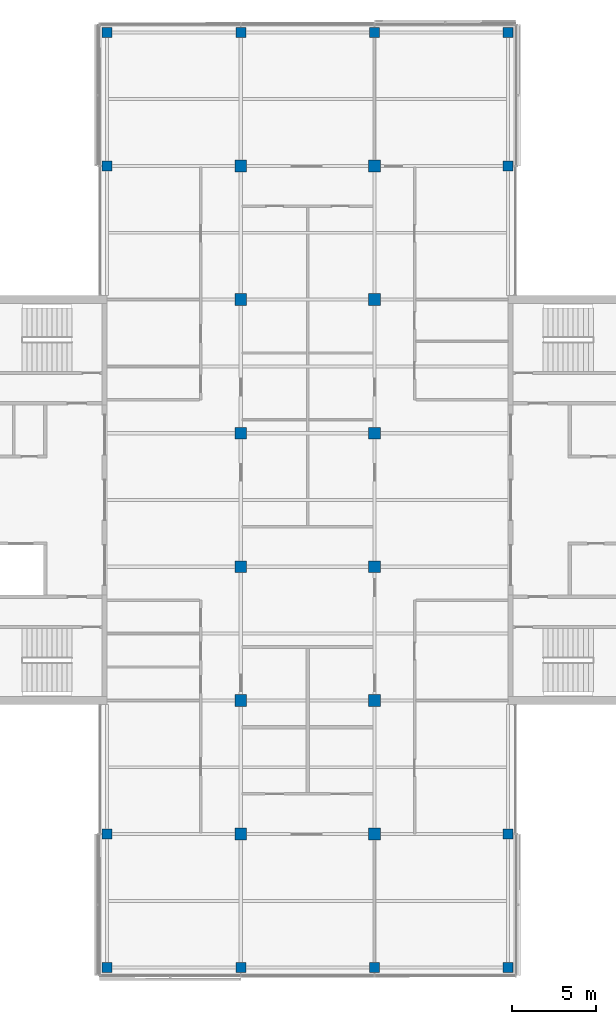
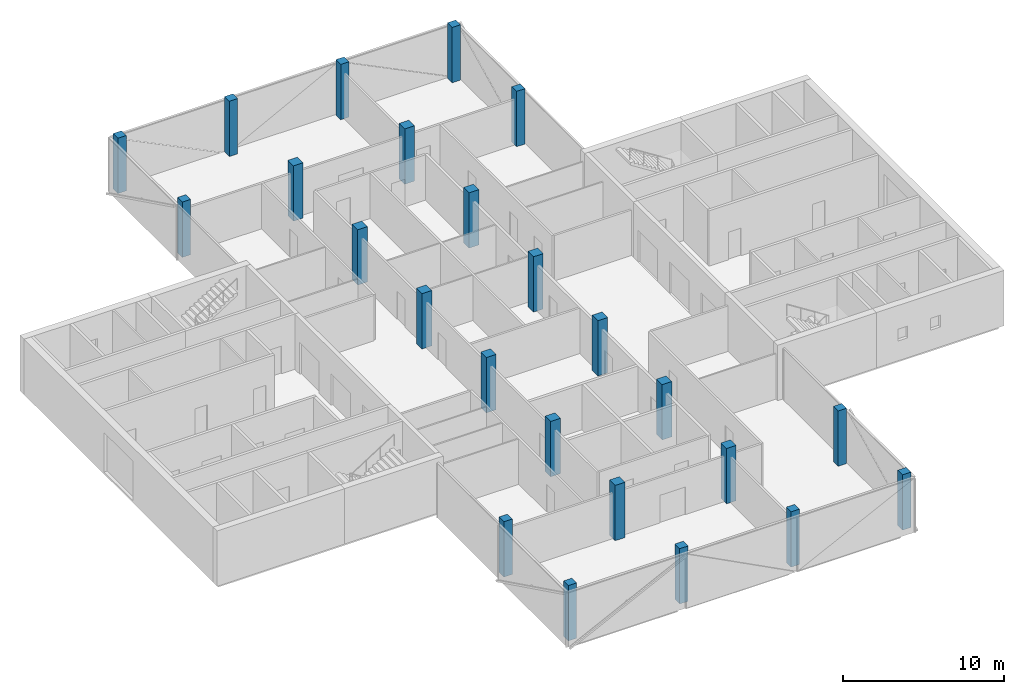
# One storey, part 1 of 16: 24 columns.
"""IFC4 building model written with IfcOpenShell, lengths in metres."""

import ifcopenshell
import ifcopenshell.guid

model = None  # the IFC model being written
_history = None  # IfcOwnerHistory: only IFC2X3 demands one
_inside = {}  # id of a spatial element -> (the spatial element, [elements in it])
_under = {}  # id of a project, library or spatial element -> (it, [spatial elements below it])
_declared = {}  # id of a project -> (the project, [libraries it declares])
_typed = {}  # id of a type object -> (the type object, [elements of that type])
_made_of = {}  # id of a material, layer set ... -> (it, [elements and type objects made of it])


def new_model(schema):
    """Start an empty IFC model of exactly this schema.

    Asked for "IFC4X3", IfcOpenShell would pick the latest addendum, in which some entities
    have other attributes; the version numbers below select the first issue.
    IFC2X3 requires an IfcOwnerHistory on every rooted entity: one is made here for all.
    """
    global model, _history
    if schema == "IFC4X3":
        model = ifcopenshell.file(schema_version=(4, 3, 0, 0))
    else:
        model = ifcopenshell.file(schema=schema)
    _inside.clear()
    _under.clear()
    _declared.clear()
    _typed.clear()
    _made_of.clear()
    _history = None
    if model.schema == "IFC2X3":
        org = make("IfcOrganization", Name="unknown")
        user = make(
            "IfcPersonAndOrganization",
            ThePerson=make("IfcPerson", FamilyName="unknown"),
            TheOrganization=org,
        )
        app = make(
            "IfcApplication",
            ApplicationDeveloper=org,
            Version="unknown",
            ApplicationFullName="unknown",
            ApplicationIdentifier="unknown",
        )
        _history = make(
            "IfcOwnerHistory",
            OwningUser=user,
            OwningApplication=app,
            ChangeAction="ADDED",
            CreationDate=0,
        )
    return model


def make(cls, **values):
    """One entity of the class cls with the attributes given. An attribute that is None is left unset."""
    return model.create_entity(
        cls, **{name: value for name, value in values.items() if value is not None}
    )


def rooted(cls, **values):
    """An entity with a GlobalId (a new one), such as an element, a storey or a relation."""
    return make(cls, GlobalId=ifcopenshell.guid.new(), OwnerHistory=_history, **values)


def si_unit(unit_type, name, prefix=None):
    """IfcSIUnit, for example si_unit("LENGTHUNIT", "METRE", prefix="MILLI")."""
    return make("IfcSIUnit", UnitType=unit_type, Prefix=prefix, Name=name)


def assignment(units):
    """IfcUnitAssignment: the units of a project."""
    return None if units is None else make("IfcUnitAssignment", Units=units)


def point(xyz):
    """IfcCartesianPoint."""
    return None if xyz is None else make("IfcCartesianPoint", Coordinates=xyz)


def direction(xyz):
    """IfcDirection."""
    return None if xyz is None else make("IfcDirection", DirectionRatios=xyz)


def frame(location, z_axis=None, x_axis=None):
    """IfcAxis2Placement3D, a coordinate frame: its origin and axes. An axis left out is left unset."""
    return make(
        "IfcAxis2Placement3D",
        Location=point(location),
        Axis=direction(z_axis),
        RefDirection=direction(x_axis),
    )


def frame_2d(location, x_axis=None):
    """IfcAxis2Placement2D, a coordinate frame in the plane: its origin and x axis."""
    return make(
        "IfcAxis2Placement2D", Location=point(location), RefDirection=direction(x_axis)
    )


def origin():
    """The frame at (0, 0, 0) with its axes left unset."""
    return frame((0.0, 0.0, 0.0))


def origin_2d():
    """The frame at (0, 0) in the plane with its x axis left unset."""
    return frame_2d((0.0, 0.0))


def place(relative_to, where):
    """IfcLocalPlacement: puts the frame where relative to a parent placement (None: the world)."""
    return make(
        "IfcLocalPlacement", PlacementRelTo=relative_to, RelativePlacement=where
    )


def context(
    kind, dimensions, precision=None, world=None, true_north=None, identifier=None
):
    """IfcGeometricRepresentationContext, for example the 3D "Model" context."""
    return make(
        "IfcGeometricRepresentationContext",
        ContextIdentifier=identifier,
        ContextType=kind,
        CoordinateSpaceDimension=dimensions,
        Precision=precision,
        WorldCoordinateSystem=world,
        TrueNorth=true_north,
    )


def subcontext(parent, identifier, kind, view, scale=None):
    """IfcGeometricRepresentationSubContext, for example "Body" below "Model"."""
    return make(
        "IfcGeometricRepresentationSubContext",
        ContextIdentifier=identifier,
        ContextType=kind,
        ParentContext=parent,
        TargetScale=scale,
        TargetView=view,
    )


def project(units=None, contexts=None):
    """IfcProject with its units and contexts."""
    return rooted(
        "IfcProject",
        Name="project",
        RepresentationContexts=contexts,
        UnitsInContext=assignment(units),
    )


def spatial(cls, under=None, at=None, **own):
    """A site, building, storey or space (cls), placed at a placement, below another one or the project."""
    s = rooted(cls, ObjectPlacement=at, **own)
    if under is not None:
        _under.setdefault(under.id(), (under, []))[1].append(s)
    return s


def profile(cls, at=None, kind="AREA", **sizes):
    """A parametric profile (cls). Its sizes go by their IFC names, for example OverallWidth=200.0."""
    return make(cls, ProfileType=kind, Position=at, **sizes)


def rectangle(**sizes):
    """IfcRectangleProfileDef."""
    return profile("IfcRectangleProfileDef", **sizes)


def extrude(swept, where, along, depth):
    """IfcExtrudedAreaSolid: the profile swept, set in the frame where, extruded along a direction by depth."""
    return make(
        "IfcExtrudedAreaSolid",
        SweptArea=swept,
        Position=where,
        ExtrudedDirection=direction(along),
        Depth=depth,
    )


def shape(context_of_items, identifier, shape_type, items):
    """IfcShapeRepresentation: the items that make up one representation, for example the "Body"."""
    return make(
        "IfcShapeRepresentation",
        ContextOfItems=context_of_items,
        RepresentationIdentifier=identifier,
        RepresentationType=shape_type,
        Items=items,
    )


def material(Name=None, Category=None):
    """IfcMaterial."""
    return make("IfcMaterial", Name=Name, Category=Category)


def material_profile(
    of_material, cross_section, Name=None, Category=None, Priority=None
):
    """IfcMaterialProfile: a cross section and its material."""
    return make(
        "IfcMaterialProfile",
        Name=Name,
        Material=of_material,
        Profile=cross_section,
        Priority=Priority,
        Category=Category,
    )


def profile_set(profiles, Name=None, composite=None):
    """IfcMaterialProfileSet."""
    return make(
        "IfcMaterialProfileSet",
        Name=Name,
        MaterialProfiles=profiles,
        CompositeProfile=composite,
    )


def made_of(thing, what):
    """Note that an element or type object is made of a material, layer set ...; save() writes the relation."""
    if what is not None:
        _made_of.setdefault(what.id(), (what, []))[1].append(thing)
    return thing


def type_object(cls, material=None, **own):
    """A type object (cls), such as IfcWallType, which elements share."""
    return made_of(rooted(cls, **own), material)


def element(
    cls,
    number,
    at=None,
    inside=None,
    cuts=None,
    type_object=None,
    material=None,
    context=None,
    identifier="Body",
    shape_type=None,
    held_by="IfcProductDefinitionShape",
    body=None,
    shapes=None,
    **own,
):
    """One element of the class cls, such as IfcWall. Its Tag is "e" and its number.

    at: its placement. inside: the storey or other place that contains it. cuts: it is an
    opening in that element (IfcRelVoidsElement). A single representation is given by context,
    identifier, shape_type and body (its items); several are given by shapes. held_by: the class
    of the entity that holds the representations. save() writes the other relations.
    """
    e = rooted(cls, Tag="e%d" % number, ObjectPlacement=at, **own)
    if body is not None:
        shapes = [shape(context, identifier, shape_type, body)]
    if shapes is not None:
        e.Representation = make(held_by, Representations=shapes)
    if inside is not None:
        _inside.setdefault(inside.id(), (inside, []))[1].append(e)
    if cuts is not None:
        rooted(
            "IfcRelVoidsElement", RelatingBuildingElement=cuts, RelatedOpeningElement=e
        )
    if type_object is not None:
        _typed.setdefault(type_object.id(), (type_object, []))[1].append(e)
    return made_of(e, material)


def aggregate(whole, parts):
    """IfcRelAggregates: a whole, such as a stair, and the parts it consists of."""
    return rooted("IfcRelAggregates", RelatingObject=whole, RelatedObjects=parts)


def save(model, path):
    """Write the relations noted so far, then the file.

    IfcRelAggregates (storeys below a building ...), IfcRelContainedInSpatialStructure (elements
    in a storey), IfcRelDefinesByType, IfcRelAssociatesMaterial and IfcRelDeclares: one each for
    every whole, place, type object, material and project.
    """
    for whole, parts in _under.values():
        aggregate(whole, parts)
    for where, things in _inside.values():
        rooted(
            "IfcRelContainedInSpatialStructure",
            RelatedElements=things,
            RelatingStructure=where,
        )
    for kind, things in _typed.values():
        rooted("IfcRelDefinesByType", RelatedObjects=things, RelatingType=kind)
    for what, things in _made_of.values():
        rooted("IfcRelAssociatesMaterial", RelatedObjects=things, RelatingMaterial=what)
    for by, libraries in _declared.values():
        rooted("IfcRelDeclares", RelatingContext=by, RelatedDefinitions=libraries)
    model.write(path)


model = new_model("IFC4")

# Units and contexts
model_context = context("Model", 3, precision=1e-05, world=origin(), true_north=direction((0.0, 1.0)))
body_context = subcontext(model_context, "Body", "Model", "MODEL_VIEW")
ifc_project = project(units=[si_unit("LENGTHUNIT", "METRE"), si_unit("AREAUNIT", "SQUARE_METRE"), si_unit("VOLUMEUNIT", "CUBIC_METRE"), si_unit("PLANEANGLEUNIT", "RADIAN"), si_unit("MASSUNIT", "GRAM", prefix="KILO")], contexts=[model_context])

# Site, building, storey
site_placement = place(None, origin())
site = spatial("IfcSite", under=ifc_project, at=site_placement, CompositionType="ELEMENT")
building_placement = place(site_placement, origin())
building = spatial("IfcBuilding", under=site, at=building_placement, Name="Crosswind Convention Tower", CompositionType="ELEMENT")
storey_placement = place(building_placement, frame((0.0, 0.0, 270.300048828125)))
storey = spatial("IfcBuildingStorey", under=building, at=storey_placement, Name="L58", CompositionType="ELEMENT", Elevation=270.300048828125)

# Columns
ifc_material = material(Name="Concrete C60/75", Category="concrete")
ifc_material_profile_1 = material_profile(ifc_material, rectangle(XDim=0.60009765625, YDim=0.60009765625, at=origin_2d()), Name="RC 600X600")
ifc_profile_set_1 = profile_set([ifc_material_profile_1], Name="Concrete C60/75")
column_type_1 = type_object("IfcColumnType", Name="Column RC 600X600", PredefinedType="COLUMN", material=ifc_profile_set_1)
for number, where, z_axis, x_axis, name in (
    (1, (113.0, 72.0, 0.0), (0.0, 0.0, 1.0), (1.0, 0.0, 0.0), "C16 L58 5/C"),
    (2, (113.0, 80.0, 0.0), (0.0, 0.0, 1.0), (1.0, 0.0, 0.0), "C16 L58 5/D"),
    (3, (113.0, 120.0, 0.0), (0.0, 0.0, 1.0), (1.0, 0.0, 0.0), "C16 L58 5/I"),
    (4, (113.0, 128.0, 0.0), (0.0, 0.0, 1.0), (1.0, 0.0, 0.0), "C16 L58 5/J"),
    (5, (121.0, 72.0, 0.0), (0.0, 0.0, 1.0), (1.0, 0.0, 0.0), "C16 L58 6/C"),
    (6, (121.0, 128.0, 0.0), (0.0, 0.0, 1.0), (1.0, 0.0, 0.0), "C16 L58 6/J"),
    (7, (129.0, 72.0, 0.0), (0.0, 0.0, 1.0), (1.0, 0.0, 0.0), "C16 L58 7/C"),
    (8, (129.0, 128.0, 0.0), (0.0, 0.0, 1.0), (1.0, 0.0, 0.0), "C16 L58 7/J"),
    (9, (137.0, 72.0, 0.0), (0.0, 0.0, 1.0), (1.0, 0.0, 0.0), "C16 L58 8/C"),
    (10, (137.0, 80.0, 0.0), (0.0, 0.0, 1.0), (1.0, 0.0, 0.0), "C16 L58 8/D"),
    (11, (137.0, 120.0, 0.0), (0.0, 0.0, 1.0), (1.0, 0.0, 0.0), "C16 L58 8/I"),
    (12, (137.0, 128.0, 0.0), (0.0, 0.0, 1.0), (1.0, 0.0, 0.0), "C16 L58 8/J"),
):
    element("IfcColumn", number, at=place(storey_placement, frame(where, z_axis=z_axis, x_axis=x_axis)), inside=storey, type_object=column_type_1, Name=name, PredefinedType="COLUMN", context=body_context, shape_type="SweptSolid", body=[
        extrude(rectangle(XDim=0.60009765625, YDim=0.60009765625, at=origin_2d()), origin(), (0.0, 0.0, 1.0), 4.199951171875),
    ])
ifc_material_profile_2 = material_profile(ifc_material, rectangle(XDim=0.699951171875, YDim=0.699951171875, at=origin_2d()), Name="RC 700X700")
ifc_profile_set_2 = profile_set([ifc_material_profile_2], Name="Concrete C60/75")
column_type_2 = type_object("IfcColumnType", Name="Column RC 700X700", PredefinedType="COLUMN", material=ifc_profile_set_2)
for number, where, z_axis, x_axis, name in (
    (13, (121.0, 80.0, 0.0), (0.0, 0.0, 1.0), (1.0, 0.0, 0.0), "C15 L58 6/D"),
    (14, (121.0, 88.0, 0.0), (0.0, 0.0, 1.0), (1.0, 0.0, 0.0), "C15 L58 6/E"),
    (15, (121.0, 96.0, 0.0), (0.0, 0.0, 1.0), (1.0, 0.0, 0.0), "C15 L58 6/F"),
    (16, (121.0, 104.0, 0.0), (0.0, 0.0, 1.0), (1.0, 0.0, 0.0), "C15 L58 6/G"),
    (17, (121.0, 112.0, 0.0), (0.0, 0.0, 1.0), (1.0, 0.0, 0.0), "C15 L58 6/H"),
    (18, (121.0, 120.0, 0.0), (0.0, 0.0, 1.0), (1.0, 0.0, 0.0), "C15 L58 6/I"),
    (19, (129.0, 80.0, 0.0), (0.0, 0.0, 1.0), (1.0, 0.0, 0.0), "C15 L58 7/D"),
    (20, (129.0, 88.0, 0.0), (0.0, 0.0, 1.0), (1.0, 0.0, 0.0), "C15 L58 7/E"),
    (21, (129.0, 96.0, 0.0), (0.0, 0.0, 1.0), (1.0, 0.0, 0.0), "C15 L58 7/F"),
    (22, (129.0, 104.0, 0.0), (0.0, 0.0, 1.0), (1.0, 0.0, 0.0), "C15 L58 7/G"),
    (23, (129.0, 112.0, 0.0), (0.0, 0.0, 1.0), (1.0, 0.0, 0.0), "C15 L58 7/H"),
    (24, (129.0, 120.0, 0.0), (0.0, 0.0, 1.0), (1.0, 0.0, 0.0), "C15 L58 7/I"),
):
    element("IfcColumn", number, at=place(storey_placement, frame(where, z_axis=z_axis, x_axis=x_axis)), inside=storey, type_object=column_type_2, Name=name, PredefinedType="COLUMN", context=body_context, shape_type="SweptSolid", body=[
        extrude(rectangle(XDim=0.699951171875, YDim=0.699951171875, at=origin_2d()), origin(), (0.0, 0.0, 1.0), 4.199951171875),
    ])

save(model, "model.ifc")
